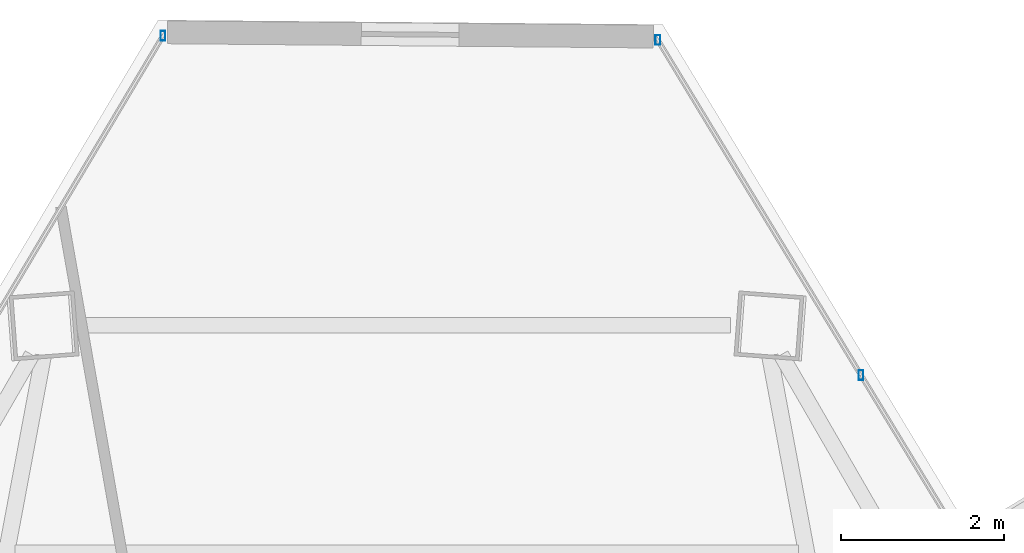
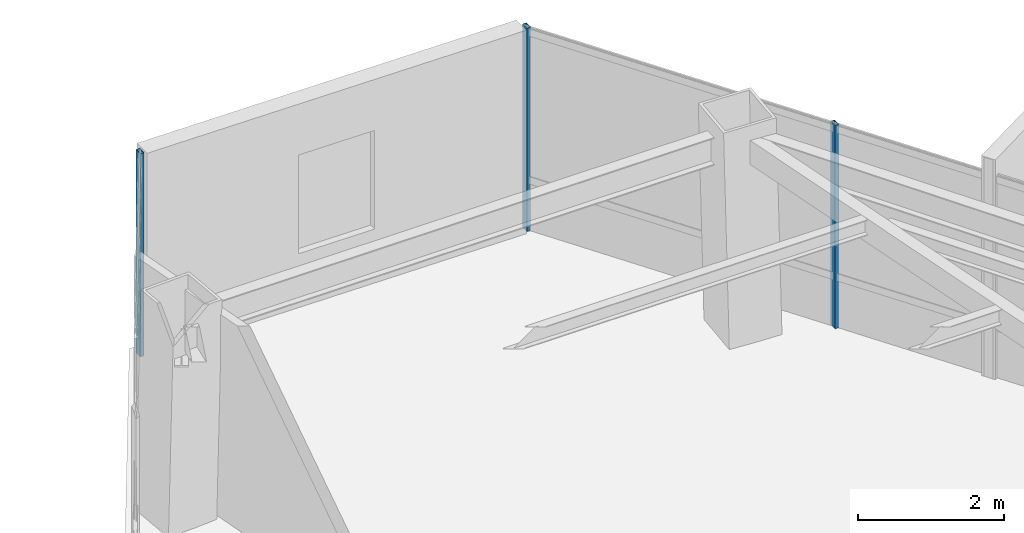
# One storey, part 36 of 47: 3 members, 2 elements without a shape of their own.
"""IFC4 building model written with IfcOpenShell, lengths in metres."""

from ifc_helpers import new_model, si_unit, direction, frame, origin, origin_2d, place, context, subcontext, project, spatial, hollow_rectangle, extrude, source, transform, mapped, material, material_profile, profile_set, type_object, type_shapes, element, aggregate, save


model = new_model("IFC4")

# Units and contexts
model_context = context("Model", 3, precision=1e-05, world=origin(), true_north=direction((0.0, 1.0)))
body_context = subcontext(model_context, "Body", "Model", "MODEL_VIEW")
ifc_project = project(units=[si_unit("LENGTHUNIT", "METRE"), si_unit("AREAUNIT", "SQUARE_METRE"), si_unit("VOLUMEUNIT", "CUBIC_METRE"), si_unit("PLANEANGLEUNIT", "RADIAN"), si_unit("MASSUNIT", "GRAM", prefix="KILO")], contexts=[model_context])

# Site, building, storey
site_placement = place(None, origin())
site = spatial("IfcSite", under=ifc_project, at=site_placement, CompositionType="ELEMENT")
building_placement = place(site_placement, origin())
building = spatial("IfcBuilding", under=site, at=building_placement, Name="Caelisora Broadcast Tower", CompositionType="ELEMENT")
storey_placement = place(building_placement, frame((0.0, 0.0, 229.85009765625)))
storey = spatial("IfcBuildingStorey", under=building, at=storey_placement, Name="L60", CompositionType="ELEMENT", Elevation=229.85009765625)

# Curtain wall, members
ifc_material_1 = material(Name="Unitised Aluminium and Low-E Glass Curtain Wall", Category="glass")
curtain_wall_type = type_object("IfcCurtainWallType", Name="CW-Z5", PredefinedType="NOTDEFINED", material=ifc_material_1)
curtain_wall_1_placement = place(storey_placement, origin())
curtain_wall_1 = element("IfcCurtainWall", 1, at=curtain_wall_1_placement, inside=storey, type_object=curtain_wall_type, Name="L60 curtain wall CW-Z5", PredefinedType="NOTDEFINED")
ifc_material_2 = material(Name="Aluminium 6063-T6 Anodised Terracotta Bronze", Category="aluminium")
ifc_material_profile = material_profile(ifc_material_2, hollow_rectangle(XDim=0.06005859375, YDim=0.1201171875, WallThickness=0.0029296875, at=origin_2d()), Name="Aluminium 6063-T6 Anodised Terracotta Bronze")
ifc_profile_set = profile_set([ifc_material_profile], Name="Aluminium 6063-T6 Anodised Terracotta Bronze")
member_type = type_object("IfcMemberType", Name="CWM-04", PredefinedType="MULLION", material=ifc_profile_set)
shared_shape = source(origin(), body_context, "Body", "SweptSolid", [
    extrude(hollow_rectangle(XDim=0.06005859375, YDim=0.1201171875, WallThickness=0.0029296875, at=origin_2d()), origin(), (0.0, 0.0, 1.0), 3.39990234375),
])
type_shapes(member_type, [shared_shape])
member_1_placement = place(storey_placement, frame((41.0869140625, 50.14013671875, 0.0), z_axis=(0.0, 0.0, 1.0), x_axis=(1.0, 0.0, 0.0)))
member_1 = element("IfcMember", 2, at=member_1_placement, type_object=member_type, Name="L60-CW-B01 mullion #0", PredefinedType="MULLION", context=body_context, shape_type="MappedRepresentation", body=[
    mapped(shared_shape, transform((0.0, 0.0, 0.0), scale=1.0)),
])
member_2_placement = place(storey_placement, frame((43.582275390625, 46.024658203125, 0.0), z_axis=(0.0, 0.0, 1.0), x_axis=(1.0, 0.0, 0.0)))
member_2 = element("IfcMember", 3, at=member_2_placement, type_object=member_type, Name="L60-CW-B01 mullion #1", PredefinedType="MULLION", context=body_context, shape_type="MappedRepresentation", body=[
    mapped(shared_shape, transform((0.0, 0.0, 0.0), scale=1.0)),
])
aggregate(curtain_wall_1, [member_1, member_2])

# Curtain wall, member
curtain_wall_2_placement = place(storey_placement, origin())
curtain_wall_2 = element("IfcCurtainWall", 4, at=curtain_wall_2_placement, inside=storey, type_object=curtain_wall_type, Name="L60 curtain wall CW-Z5", PredefinedType="NOTDEFINED")
member_3_placement = place(storey_placement, frame((35.008544921875, 50.193115234375, 0.0), z_axis=(0.0, 0.0, 1.0), x_axis=(1.0, 0.0, 0.0)))
member_3 = element("IfcMember", 5, at=member_3_placement, type_object=member_type, Name="L60-CW-B11 mullion #3", PredefinedType="MULLION", context=body_context, shape_type="MappedRepresentation", body=[
    mapped(shared_shape, transform((0.0, 0.0, 0.0), scale=1.0)),
])
aggregate(curtain_wall_2, [member_3])

save(model, "model.ifc")
